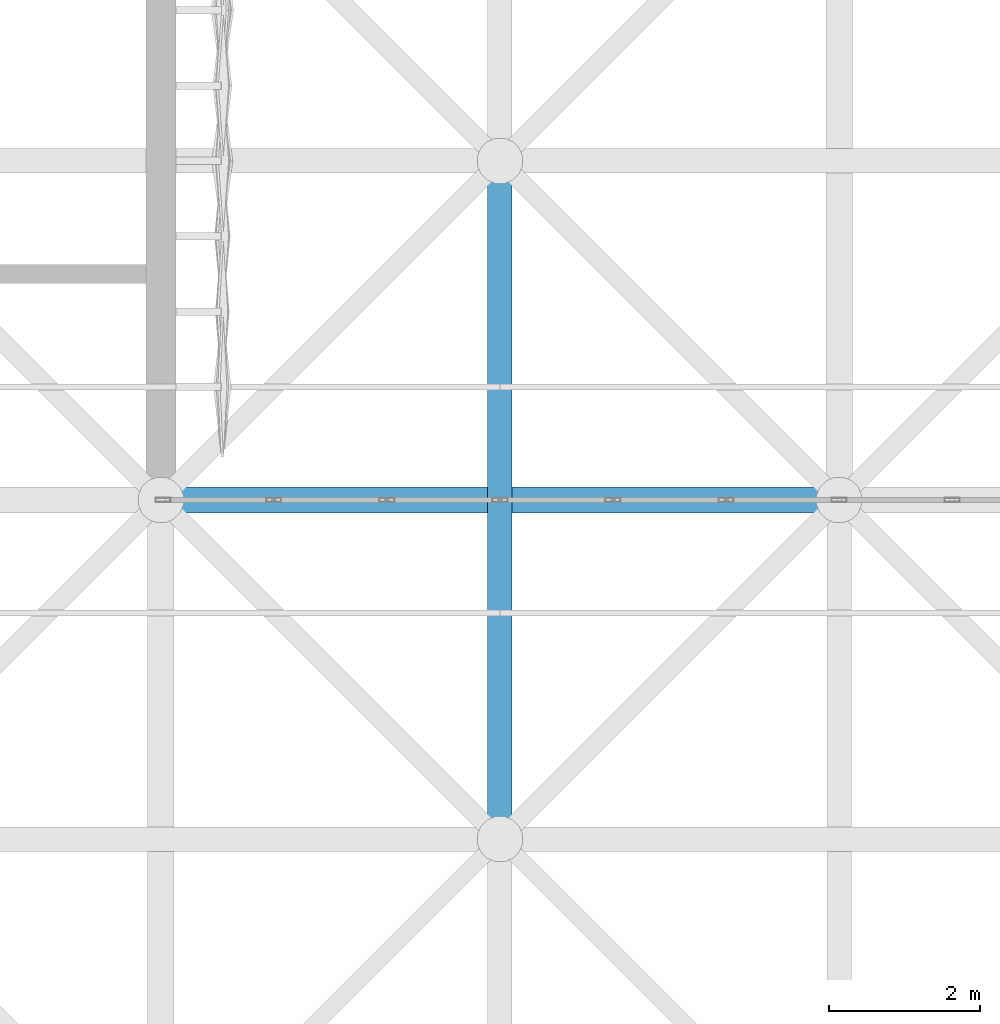
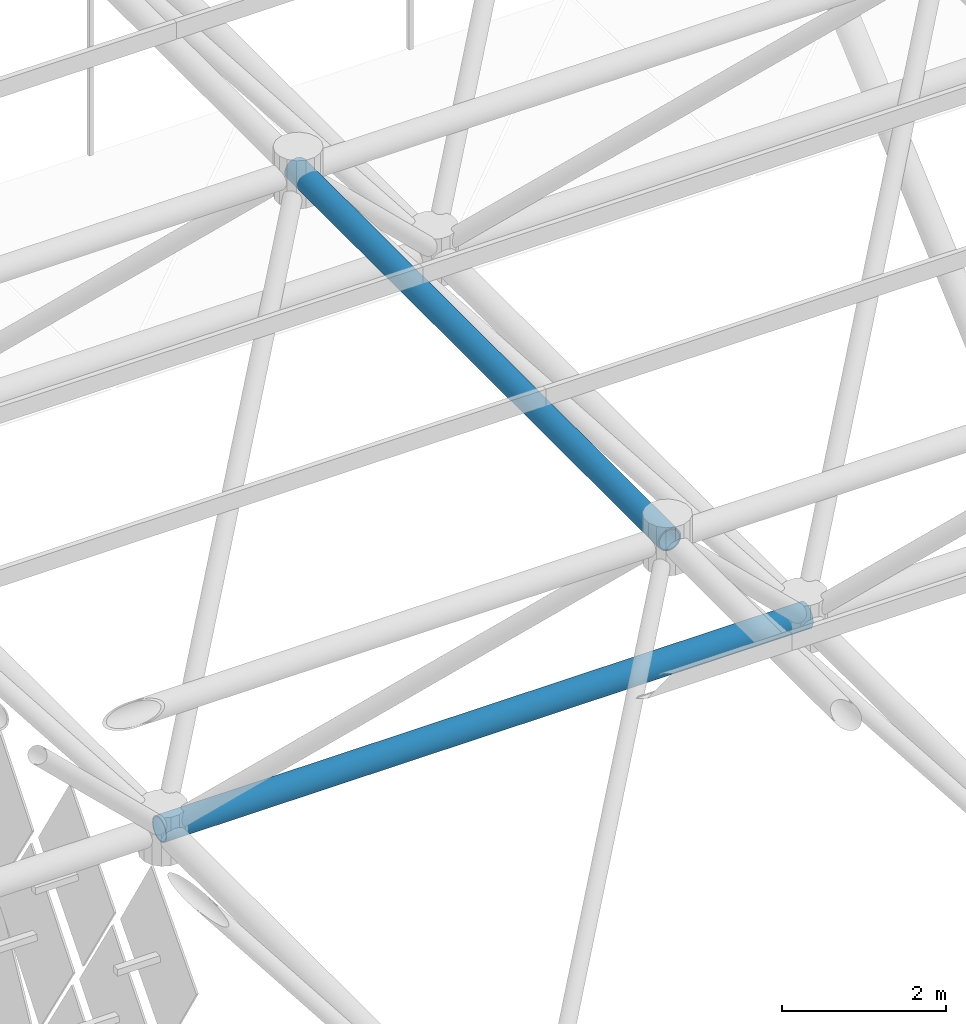
# One storey, part 156 of 437: 2 members.
"""IFC4 building model written with IfcOpenShell, lengths in metres."""

from ifc_helpers import new_model, si_unit, direction, frame, origin, origin_2d, place, context, subcontext, project, spatial, hollow_circle, extrude, material, material_profile, profile_set, type_object, element, save


model = new_model("IFC4")

# Units and contexts
model_context = context("Model", 3, precision=1e-05, world=origin(), true_north=direction((0.0, 1.0)))
body_context = subcontext(model_context, "Body", "Model", "MODEL_VIEW")
ifc_project = project(units=[si_unit("LENGTHUNIT", "METRE"), si_unit("AREAUNIT", "SQUARE_METRE"), si_unit("VOLUMEUNIT", "CUBIC_METRE"), si_unit("PLANEANGLEUNIT", "RADIAN"), si_unit("MASSUNIT", "GRAM", prefix="KILO")], contexts=[model_context])

# Site, building, storey
site_placement = place(None, origin())
site = spatial("IfcSite", under=ifc_project, at=site_placement, CompositionType="ELEMENT")
building_placement = place(site_placement, origin())
building = spatial("IfcBuilding", under=site, at=building_placement, Name="Opaline Strait Convention Centre", CompositionType="ELEMENT")
storey_placement = place(building_placement, frame((0.0, 0.0, 11.5)))
storey = spatial("IfcBuildingStorey", under=building, at=storey_placement, Name="L02", CompositionType="ELEMENT", Elevation=11.5)

# Members
ifc_material = material(Name="Steel Q355B", Category="steel")
ifc_material_profile_1 = material_profile(ifc_material, hollow_circle(Radius=0.175537109375, WallThickness=0.01611328125, at=origin_2d()), Name="CHS 351x16")
ifc_profile_set_1 = profile_set([ifc_material_profile_1], Name="Steel Q355B")
member_type_1 = type_object("IfcMemberType", Name="Space frame bottom chord CHS 351x16", PredefinedType="CHORD", material=ifc_profile_set_1)
member_1_placement = place(storey_placement, frame((152.949951171875, 144.0, 12.5), z_axis=(1.0, 0.0, 0.0), x_axis=(0.0, 1.0, 0.0)))
element("IfcMember", 1, at=member_1_placement, inside=storey, type_object=member_type_1, Name="EXB-RF-BX-7-11", PredefinedType="CHORD", context=body_context, shape_type="SweptSolid", body=[
    extrude(hollow_circle(Radius=0.175537109375, WallThickness=0.01611328125, at=origin_2d()), origin(), (0.0, 0.0, 1.0), 9.10009765625),
])
ifc_material_profile_2 = material_profile(ifc_material, hollow_circle(Radius=0.16259765625, WallThickness=0.02001953125, at=origin_2d()), Name="CHS 325x20")
ifc_profile_set_2 = profile_set([ifc_material_profile_2], Name="Steel Q355B")
member_type_2 = type_object("IfcMemberType", Name="Space frame top chord CHS 325x20", PredefinedType="CHORD", material=ifc_profile_set_2)
member_2_placement = place(storey_placement, frame((157.5, 139.449951171875, 17.971435546875), z_axis=(0.0, 1.0, 0.0), x_axis=(-1.0, 0.0, 0.0)))
element("IfcMember", 2, at=member_2_placement, inside=storey, type_object=member_type_2, Name="EXB-RF-TY-8-11", PredefinedType="CHORD", context=body_context, shape_type="SweptSolid", body=[
    extrude(hollow_circle(Radius=0.16259765625, WallThickness=0.02001953125, at=origin_2d()), origin(), (0.0, 0.0, 1.0), 9.10009765625),
])

save(model, "model.ifc")
